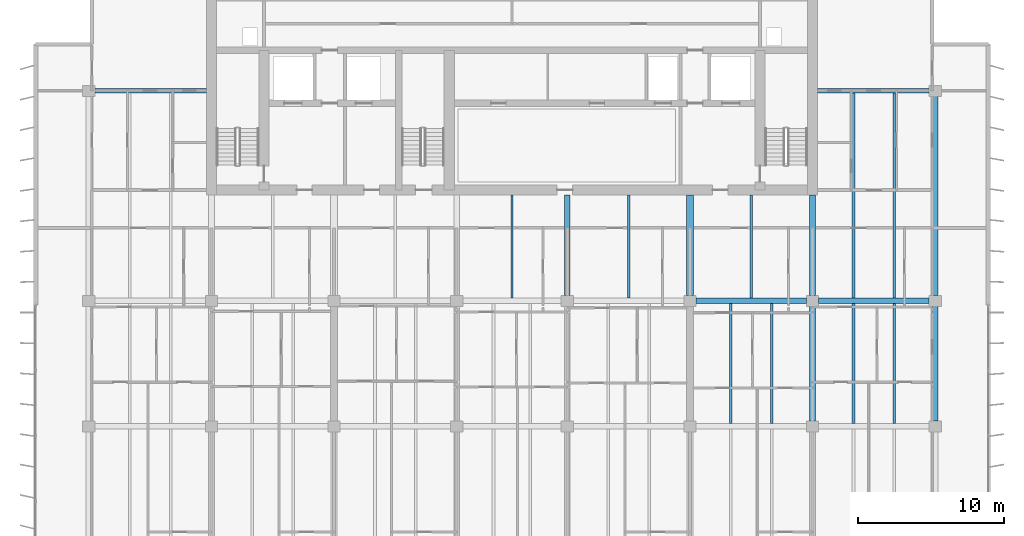
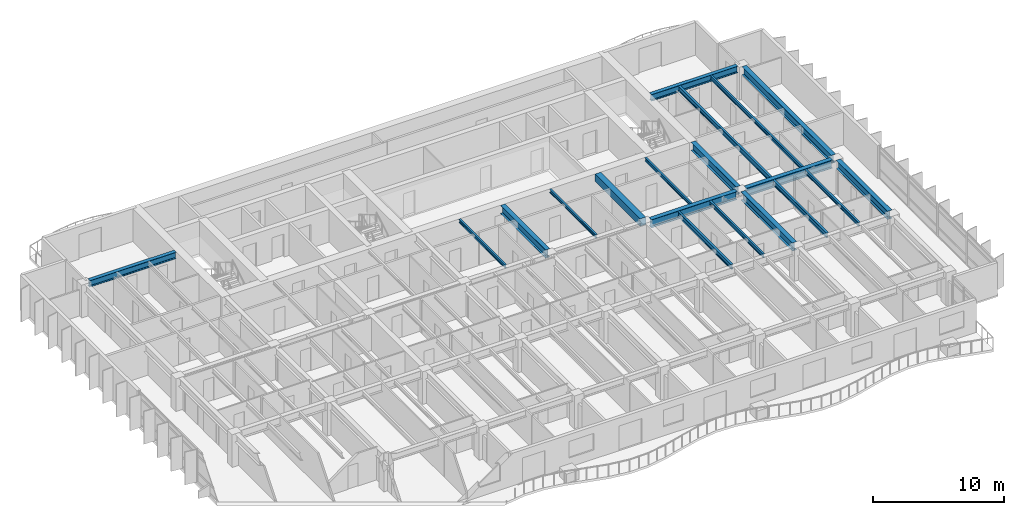
# One storey, part 5 of 19: 19 beams.
"""IFC4 building model written with IfcOpenShell, lengths in metres."""

from ifc_helpers import new_model, si_unit, direction, frame, origin, origin_2d, place, context, subcontext, project, spatial, rectangle, i_section, extrude, material, material_profile, profile_set, type_object, element, save


model = new_model("IFC4")

# Units and contexts
model_context = context("Model", 3, precision=1e-05, world=origin(), true_north=direction((0.0, 1.0)))
body_context = subcontext(model_context, "Body", "Model", "MODEL_VIEW")
ifc_project = project(units=[si_unit("LENGTHUNIT", "METRE"), si_unit("AREAUNIT", "SQUARE_METRE"), si_unit("VOLUMEUNIT", "CUBIC_METRE"), si_unit("PLANEANGLEUNIT", "RADIAN"), si_unit("MASSUNIT", "GRAM", prefix="KILO")], contexts=[model_context])

# Site, building, storey
site_placement = place(None, origin())
site = spatial("IfcSite", under=ifc_project, at=site_placement, CompositionType="ELEMENT")
building_placement = place(site_placement, origin())
building = spatial("IfcBuilding", under=site, at=building_placement, Name="Caelmar Bay Residences", CompositionType="ELEMENT")
storey_placement = place(building_placement, frame((0.0, 0.0, 214.800048828125)))
storey = spatial("IfcBuildingStorey", under=building, at=storey_placement, Name="L60", CompositionType="ELEMENT", Elevation=214.800048828125)

# Beams
ifc_material_1 = material(Name="Steel ASTM A992 Grade 50", Category="steel")
ifc_material_profile_1 = material_profile(ifc_material_1, i_section(OverallWidth=0.381103515625, OverallDepth=0.77197265625, WebThickness=0.0166015625, FlangeThickness=0.027099609375, FilletRadius=0.0166015625, at=origin_2d()), Name="W30X173")
ifc_profile_set_1 = profile_set([ifc_material_profile_1], Name="Steel ASTM A992 Grade 50")
beam_type_1 = type_object("IfcBeamType", Name="BM-GRD-W30X173", PredefinedType="BEAM", material=ifc_profile_set_1)
for number, where, z_axis, x_axis, name in (
    (1, (51.514892578125, 29.39990234375, 2.6640625), (1.0, 0.0, 0.0), (0.0, 1.0, 0.0), "L60 East-West Girder Y=29.40 (51.1-59.5)"),
    (2, (59.9150390625, 29.39990234375, 2.6640625), (1.0, 0.0, 0.0), (0.0, 1.0, 0.0), "L60 East-West Girder Y=29.40 (59.5-67.9)"),
):
    element("IfcBeam", number, at=place(storey_placement, frame(where, z_axis=z_axis, x_axis=x_axis)), inside=storey, type_object=beam_type_1, Name=name, PredefinedType="BEAM", context=body_context, shape_type="SweptSolid", body=[
        extrude(i_section(OverallWidth=0.381103515625, OverallDepth=0.77197265625, WebThickness=0.0166015625, FlangeThickness=0.027099609375, FilletRadius=0.0166015625, at=origin_2d()), origin(), (0.0, 0.0, 1.0), 7.570068359375),
    ])
for number, where, z_axis, x_axis, name in (
    (3, (42.699951171875, 29.764892578125, 2.6640625), (0.0, 1.0, 0.0), (-1.0, 0.0, 0.0), "L60 Core Tie Girder X=42.70"),
    (4, (59.5, 29.764892578125, 2.6640625), (0.0, 1.0, 0.0), (-1.0, 0.0, 0.0), "L60 Core Tie Girder X=59.50"),
):
    element("IfcBeam", number, at=place(storey_placement, frame(where, z_axis=z_axis, x_axis=x_axis)), inside=storey, type_object=beam_type_1, Name=name, PredefinedType="BEAM", context=body_context, shape_type="SweptSolid", body=[
        extrude(i_section(OverallWidth=0.381103515625, OverallDepth=0.77197265625, WebThickness=0.0166015625, FlangeThickness=0.027099609375, FilletRadius=0.0166015625, at=origin_2d()), origin(), (0.0, 0.0, 1.0), 6.885009765625),
    ])
for number, where, z_axis, x_axis, name in (
    (5, (59.5, 21.1650390625, 2.6640625), (0.0, 1.0, 0.0), (-1.0, 0.0, 0.0), "L60 North-South Girder X=59.50 (20.8-29.4)"),
    (6, (67.89990234375, 21.1650390625, 2.6640625), (0.0, 1.0, 0.0), (-1.0, 0.0, 0.0), "L60 North-South Girder X=67.90 (20.8-29.4)"),
):
    element("IfcBeam", number, at=place(storey_placement, frame(where, z_axis=z_axis, x_axis=x_axis)), inside=storey, type_object=beam_type_1, Name=name, PredefinedType="BEAM", context=body_context, shape_type="SweptSolid", body=[
        extrude(i_section(OverallWidth=0.381103515625, OverallDepth=0.77197265625, WebThickness=0.0166015625, FlangeThickness=0.027099609375, FilletRadius=0.0166015625, at=origin_2d()), origin(), (0.0, 0.0, 1.0), 7.869873046875),
    ])
beam_1_placement = place(storey_placement, frame((67.89990234375, 29.764892578125, 2.6640625), z_axis=(0.0, 1.0, 0.0), x_axis=(-1.0, 0.0, 0.0)))
element("IfcBeam", 7, at=beam_1_placement, inside=storey, type_object=beam_type_1, Name="L60 North-South Girder X=67.90 (29.4-43.8)", PredefinedType="BEAM", context=body_context, shape_type="SweptSolid", body=[
    extrude(i_section(OverallWidth=0.381103515625, OverallDepth=0.77197265625, WebThickness=0.0166015625, FlangeThickness=0.027099609375, FilletRadius=0.0166015625, at=origin_2d()), origin(), (0.0, 0.0, 1.0), 13.670166015625),
])
ifc_material_profile_2 = material_profile(ifc_material_1, i_section(OverallWidth=0.1650390625, OverallDepth=0.31005859375, WebThickness=0.005859375, FlangeThickness=0.009765625, FilletRadius=0.007568359375, at=origin_2d()), Name="W12X26")
ifc_profile_set_2 = profile_set([ifc_material_profile_2], Name="Steel ASTM A992 Grade 50")
beam_type_2 = type_object("IfcBeamType", Name="BM-JST-W12X26", PredefinedType="JOIST", material=ifc_profile_set_2)
for number, where, z_axis, x_axis, name in (
    (8, (38.89990234375, 29.590576171875, 2.89501953125), (0.0, 1.0, 0.0), (-1.0, 0.0, 0.0), "L60 Core-Band Composite Joist 31"),
    (9, (46.89990234375, 29.590576171875, 2.89501953125), (0.0, 1.0, 0.0), (-1.0, 0.0, 0.0), "L60 Core-Band Composite Joist 32"),
    (10, (55.300048828125, 29.590576171875, 2.89501953125), (0.0, 1.0, 0.0), (-1.0, 0.0, 0.0), "L60 Core-Band Composite Joist 33"),
):
    element("IfcBeam", number, at=place(storey_placement, frame(where, z_axis=z_axis, x_axis=x_axis)), inside=storey, type_object=beam_type_2, Name=name, PredefinedType="JOIST", context=body_context, shape_type="SweptSolid", body=[
        extrude(i_section(OverallWidth=0.1650390625, OverallDepth=0.31005859375, WebThickness=0.005859375, FlangeThickness=0.009765625, FilletRadius=0.007568359375, at=origin_2d()), origin(), (0.0, 0.0, 1.0), 7.059326171875),
    ])
ifc_material_profile_3 = material_profile(ifc_material_1, i_section(OverallWidth=0.1708984375, OverallDepth=0.35595703125, WebThickness=0.007080078125, FlangeThickness=0.01171875, FilletRadius=0.007568359375, at=origin_2d()), Name="W14X34")
ifc_profile_set_3 = profile_set([ifc_material_profile_3], Name="Steel ASTM A992 Grade 50")
beam_type_3 = type_object("IfcBeamType", Name="BM-JST-W14X34", PredefinedType="JOIST", material=ifc_profile_set_3)
for number, where, z_axis, x_axis, name in (
    (11, (56.699951171875, 20.990478515625, 2.8720703125), (0.0, 1.0, 0.0), (-1.0, 0.0, 0.0), "L60 Composite Floor Joist 26"),
    (12, (65.10009765625, 20.990478515625, 2.8720703125), (0.0, 1.0, 0.0), (-1.0, 0.0, 0.0), "L60 Composite Floor Joist 28"),
):
    element("IfcBeam", number, at=place(storey_placement, frame(where, z_axis=z_axis, x_axis=x_axis)), inside=storey, type_object=beam_type_3, Name=name, PredefinedType="JOIST", context=body_context, shape_type="SweptSolid", body=[
        extrude(i_section(OverallWidth=0.1708984375, OverallDepth=0.35595703125, WebThickness=0.007080078125, FlangeThickness=0.01171875, FilletRadius=0.007568359375, at=origin_2d()), origin(), (0.0, 0.0, 1.0), 8.218994140625),
    ])
beam_2_placement = place(storey_placement, frame((65.10009765625, 29.590576171875, 2.8720703125), z_axis=(0.0, 1.0, 0.0), x_axis=(-1.0, 0.0, 0.0)))
element("IfcBeam", 13, at=beam_2_placement, inside=storey, type_object=beam_type_3, Name="L60 Composite Floor Joist 37", PredefinedType="JOIST", context=body_context, shape_type="SweptSolid", body=[
    extrude(i_section(OverallWidth=0.1708984375, OverallDepth=0.35595703125, WebThickness=0.007080078125, FlangeThickness=0.01171875, FilletRadius=0.007568359375, at=origin_2d()), origin(), (0.0, 0.0, 1.0), 14.046875),
])
ifc_material_profile_4 = material_profile(ifc_material_1, i_section(OverallWidth=0.19091796875, OverallDepth=0.45703125, WebThickness=0.009033203125, FlangeThickness=0.014404296875, FilletRadius=0.01025390625, at=origin_2d()), Name="W18X50")
ifc_profile_set_4 = profile_set([ifc_material_profile_4], Name="Steel ASTM A992 Grade 50")
beam_type_4 = type_object("IfcBeamType", Name="BM-JST-W18X50", PredefinedType="JOIST", material=ifc_profile_set_4)
for number, where, z_axis, x_axis, name in (
    (14, (53.89990234375, 20.990478515625, 2.821533203125), (0.0, 1.0, 0.0), (-1.0, 0.0, 0.0), "L60 Composite Floor Joist 25"),
    (15, (62.300048828125, 20.990478515625, 2.821533203125), (0.0, 1.0, 0.0), (-1.0, 0.0, 0.0), "L60 Composite Floor Joist 27"),
):
    element("IfcBeam", number, at=place(storey_placement, frame(where, z_axis=z_axis, x_axis=x_axis)), inside=storey, type_object=beam_type_4, Name=name, PredefinedType="JOIST", context=body_context, shape_type="SweptSolid", body=[
        extrude(i_section(OverallWidth=0.19091796875, OverallDepth=0.45703125, WebThickness=0.009033203125, FlangeThickness=0.014404296875, FilletRadius=0.01025390625, at=origin_2d()), origin(), (0.0, 0.0, 1.0), 8.218994140625),
    ])
beam_3_placement = place(storey_placement, frame((62.300048828125, 29.590576171875, 2.821533203125), z_axis=(0.0, 1.0, 0.0), x_axis=(-1.0, 0.0, 0.0)))
element("IfcBeam", 16, at=beam_3_placement, inside=storey, type_object=beam_type_4, Name="L60 Composite Floor Joist 36", PredefinedType="JOIST", context=body_context, shape_type="SweptSolid", body=[
    extrude(i_section(OverallWidth=0.19091796875, OverallDepth=0.45703125, WebThickness=0.009033203125, FlangeThickness=0.014404296875, FilletRadius=0.01025390625, at=origin_2d()), origin(), (0.0, 0.0, 1.0), 14.046875),
])
ifc_material_2 = material(Name="Concrete f'c 55 MPa (8,000 psi)", Category="concrete")
ifc_material_profile_5 = material_profile(ifc_material_2, rectangle(XDim=0.5, YDim=0.699951171875, at=origin_2d()), Name="RC-BM-500X700")
ifc_profile_set_5 = profile_set([ifc_material_profile_5], Name="Concrete f'c 55 MPa (8,000 psi)")
beam_type_5 = type_object("IfcBeamType", Name="BM-RC-500X700", PredefinedType="LINTEL", material=ifc_profile_set_5)
beam_4_placement = place(storey_placement, frame((51.10009765625, 29.764892578125, 2.699951171875), z_axis=(0.0, 1.0, 0.0), x_axis=(-1.0, 0.0, 0.0)))
element("IfcBeam", 17, at=beam_4_placement, inside=storey, type_object=beam_type_5, Name="L60 Shear-Wall Corridor Coupling Lintel E8", PredefinedType="LINTEL", context=body_context, shape_type="SweptSolid", body=[
    extrude(rectangle(XDim=0.5, YDim=0.699951171875, at=origin_2d()), origin(), (0.0, 0.0, 1.0), 6.885009765625),
])
ifc_material_profile_6 = material_profile(ifc_material_1, i_section(OverallWidth=0.324951171875, OverallDepth=0.616943359375, WebThickness=0.013916015625, FlangeThickness=0.021484375, FilletRadius=0.0126953125, at=origin_2d()), Name="W24X117")
ifc_profile_set_6 = profile_set([ifc_material_profile_6], Name="Steel ASTM A992 Grade 50")
beam_type_6 = type_object("IfcBeamType", Name="BM-SPN-W24X117", PredefinedType="SPANDREL", material=ifc_profile_set_6)
for number, where, z_axis, x_axis, name in (
    (18, (10.31494140625, 43.800048828125, 2.741455078125), (1.0, 0.0, 0.0), (0.0, 1.0, 0.0), "L60 North-West Wing Core Tie Girder"),
    (19, (59.85009765625, 43.800048828125, 2.741455078125), (1.0, 0.0, 0.0), (0.0, 1.0, 0.0), "L60 North-East Wing Core Tie Girder"),
):
    element("IfcBeam", number, at=place(storey_placement, frame(where, z_axis=z_axis, x_axis=x_axis)), inside=storey, type_object=beam_type_6, Name=name, PredefinedType="SPANDREL", context=body_context, shape_type="SweptSolid", body=[
        extrude(i_section(OverallWidth=0.324951171875, OverallDepth=0.616943359375, WebThickness=0.013916015625, FlangeThickness=0.021484375, FilletRadius=0.0126953125, at=origin_2d()), origin(), (0.0, 0.0, 1.0), 7.635009765625),
    ])

save(model, "model.ifc")
